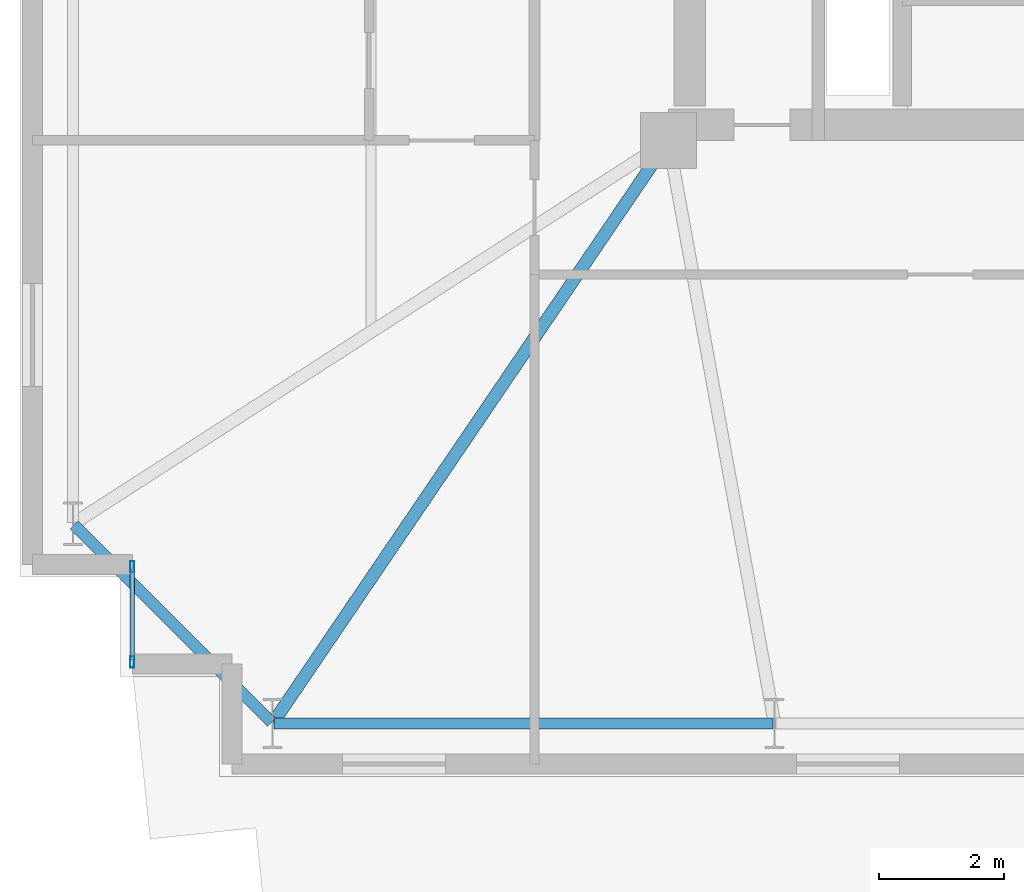
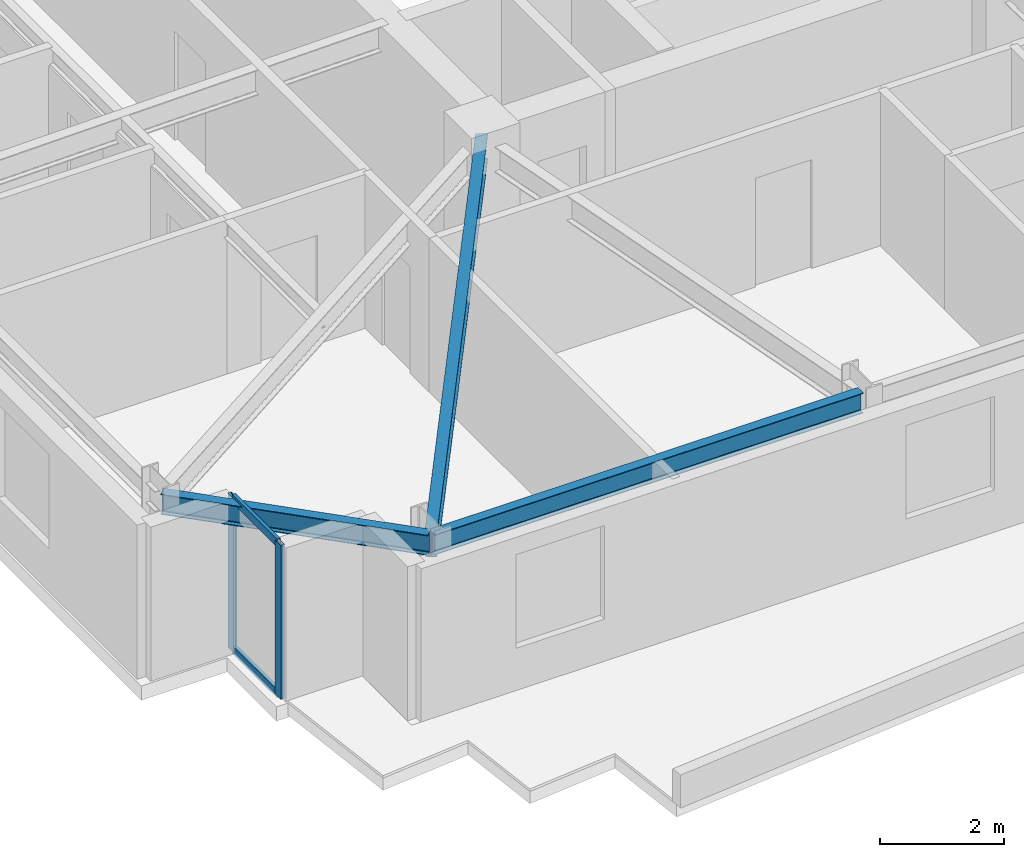
# One storey, part 3 of 19: 4 members, 3 beams, 1 element without a shape of its own.
"""IFC4 building model written with IfcOpenShell, lengths in metres."""

from ifc_helpers import new_model, si_unit, direction, frame, origin, origin_2d, place, context, subcontext, project, spatial, hollow_rectangle, i_section, extrude, material, layer, layer_set, material_profile, profile_set, type_object, element, aggregate, save


model = new_model("IFC4")

# Units and contexts
model_context = context("Model", 3, precision=1e-05, world=origin(), true_north=direction((0.0, 1.0)))
body_context = subcontext(model_context, "Body", "Model", "MODEL_VIEW")
ifc_project = project(units=[si_unit("LENGTHUNIT", "METRE"), si_unit("AREAUNIT", "SQUARE_METRE"), si_unit("VOLUMEUNIT", "CUBIC_METRE"), si_unit("PLANEANGLEUNIT", "RADIAN"), si_unit("MASSUNIT", "GRAM", prefix="KILO")], contexts=[model_context])

# Site, building, storey
site_placement = place(None, origin())
site = spatial("IfcSite", under=ifc_project, at=site_placement, CompositionType="ELEMENT")
building_placement = place(site_placement, origin())
building = spatial("IfcBuilding", under=site, at=building_placement, Name="Qobustan Lattice House", CompositionType="ELEMENT")
storey_placement = place(building_placement, frame((0.0, 0.0, 131.0)))
storey = spatial("IfcBuildingStorey", under=building, at=storey_placement, Name="L36", CompositionType="ELEMENT", Elevation=131.0)

# Beams
ifc_material_1 = material(Name="Steel S355", Category="steel")
ifc_material_profile_1 = material_profile(ifc_material_1, i_section(OverallWidth=0.199951171875, OverallDepth=0.5, WebThickness=0.01025390625, FlangeThickness=0.01611328125, FilletRadius=0.02099609375, at=origin_2d()), Name="IPE500")
ifc_profile_set_1 = profile_set([ifc_material_profile_1], Name="Steel S355")
beam_type_1 = type_object("IfcBeamType", Name="BM-FLG-IPE500", PredefinedType="USERDEFINED", material=ifc_profile_set_1)
beam_1_placement = place(storey_placement, frame((-25.135986328125, -14.92919921875, 2.7900390625), z_axis=(0.561834572616, 0.827249607442, 0.0), x_axis=(-0.827249607442, 0.561834572616, 0.0)))
element("IfcBeam", 1, at=beam_1_placement, inside=storey, type_object=beam_type_1, Name="L36 primary floor girder RAD-S1W", ObjectType="GIRDER", PredefinedType="USERDEFINED", context=body_context, shape_type="SweptSolid", body=[
    extrude(i_section(OverallWidth=0.199951171875, OverallDepth=0.5, WebThickness=0.01025390625, FlangeThickness=0.01611328125, FilletRadius=0.02099609375, at=origin_2d()), origin(), (0.0, 0.0, 1.0), 11.25244140625),
])
ifc_material_2 = material(Name="Steel S355", Category="steel")
ifc_material_profile_2 = material_profile(ifc_material_2, i_section(OverallWidth=0.179931640625, OverallDepth=0.39990234375, WebThickness=0.008544921875, FlangeThickness=0.013427734375, FilletRadius=0.02099609375, at=origin_2d()), Name="IPE400")
ifc_profile_set_2 = profile_set([ifc_material_profile_2], Name="Steel S355")
beam_type_2 = type_object("IfcBeamType", Name="BM-SPD-IPE400", PredefinedType="SPANDREL", material=ifc_profile_set_2)
beam_2_placement = place(storey_placement, frame((-25.125, -14.949951171875, 2.840087890625), z_axis=(1.0, 0.0, 0.0), x_axis=(0.0, 1.0, 0.0)))
element("IfcBeam", 2, at=beam_2_placement, inside=storey, type_object=beam_type_2, Name="L36 perimeter spandrel S1-S2", PredefinedType="SPANDREL", context=body_context, shape_type="SweptSolid", body=[
    extrude(i_section(OverallWidth=0.179931640625, OverallDepth=0.39990234375, WebThickness=0.008544921875, FlangeThickness=0.013427734375, FilletRadius=0.02099609375, at=origin_2d()), origin(), (0.0, 0.0, 1.0), 8.0),
])
beam_3_placement = place(storey_placement, frame((-28.332275390625, -11.767578125, 2.840087890625), z_axis=(0.707079505568, -0.707134055753, 0.0), x_axis=(0.707134055753, 0.707079505568, 0.0)))
element("IfcBeam", 3, at=beam_3_placement, inside=storey, type_object=beam_type_2, Name="L36 perimeter spandrel W4-S1", PredefinedType="SPANDREL", context=body_context, shape_type="SweptSolid", body=[
    extrude(i_section(OverallWidth=0.179931640625, OverallDepth=0.39990234375, WebThickness=0.008544921875, FlangeThickness=0.013427734375, FilletRadius=0.02099609375, at=origin_2d()), origin(), (0.0, 0.0, 1.0), 4.4755859375),
])

# Curtain wall, members
ifc_material_3 = material(Name="Anodised aluminium and low-E glazing", Category="aluminium")
ifc_layer = layer(ifc_material_3, 0.219970703125)
ifc_layer_set = layer_set([ifc_layer], Name="Anodised aluminium and low-E glazing")
curtain_wall_type = type_object("IfcCurtainWallType", Name="CW-FAC-02", PredefinedType="USERDEFINED", material=ifc_layer_set)
curtain_wall_placement = place(storey_placement, origin())
curtain_wall = element("IfcCurtainWall", 4, at=curtain_wall_placement, inside=storey, type_object=curtain_wall_type, Name="L36 serrated corner faceted glazing 3", ObjectType="CURTAIN WALL", PredefinedType="USERDEFINED")
ifc_material_4 = material(Name="Anodised aluminium EN AW-6063 T6", Category="aluminium")
ifc_material_profile_3 = material_profile(ifc_material_4, hollow_rectangle(XDim=0.070068359375, YDim=0.179931640625, WallThickness=0.00439453125, at=origin_2d()), Name="CWM-180x70")
ifc_profile_set_3 = profile_set([ifc_material_profile_3], Name="Anodised aluminium EN AW-6063 T6")
member_type_1 = type_object("IfcMemberType", Name="CWM-STD-180", PredefinedType="MULLION", material=ifc_profile_set_3)
member_1_placement = place(storey_placement, frame((-27.39990234375, -13.965087890625, 0.0), z_axis=(0.0, 0.0, 1.0), x_axis=(-1.0, 0.0, 0.0)))
member_1 = element("IfcMember", 5, at=member_1_placement, type_object=member_type_1, Name="CW-F2 mullion 1", PredefinedType="MULLION", context=body_context, shape_type="SweptSolid", body=[
    extrude(hollow_rectangle(XDim=0.070068359375, YDim=0.179931640625, WallThickness=0.00439453125, at=origin_2d()), origin(), (0.0, 0.0, 1.0), 3.0400390625),
])
member_2_placement = place(storey_placement, frame((-27.39990234375, -12.43505859375, 0.0), z_axis=(0.0, 0.0, 1.0), x_axis=(-1.0, 0.0, 0.0)))
member_2 = element("IfcMember", 6, at=member_2_placement, type_object=member_type_1, Name="CW-F2 mullion 2", PredefinedType="MULLION", context=body_context, shape_type="SweptSolid", body=[
    extrude(hollow_rectangle(XDim=0.070068359375, YDim=0.179931640625, WallThickness=0.00439453125, at=origin_2d()), origin(), (0.0, 0.0, 1.0), 3.0400390625),
])
ifc_material_5 = material(Name="Anodised aluminium EN AW-6063 T6", Category="aluminium")
ifc_material_profile_4 = material_profile(ifc_material_5, hollow_rectangle(XDim=0.06494140625, YDim=0.159912109375, WallThickness=0.00390625, at=origin_2d()), Name="CWT-160x65")
ifc_profile_set_4 = profile_set([ifc_material_profile_4], Name="Anodised aluminium EN AW-6063 T6")
member_type_2 = type_object("IfcMemberType", Name="CWT-HOR-160", PredefinedType="USERDEFINED", material=ifc_profile_set_4)
member_3_placement = place(storey_placement, frame((-27.39990234375, -13.929931640625, 0.032470703125), z_axis=(0.0, 1.0, 0.0), x_axis=(-1.0, 0.0, 0.0)))
member_3 = element("IfcMember", 7, at=member_3_placement, type_object=member_type_2, Name="CW-F2 transom 1.1", ObjectType="TRANSOM", PredefinedType="USERDEFINED", context=body_context, shape_type="SweptSolid", body=[
    extrude(hollow_rectangle(XDim=0.06494140625, YDim=0.159912109375, WallThickness=0.00390625, at=origin_2d()), origin(), (0.0, 0.0, 1.0), 1.4599609375),
])
member_4_placement = place(storey_placement, frame((-27.39990234375, -13.929931640625, 3.007568359375), z_axis=(0.0, 1.0, 0.0), x_axis=(-1.0, 0.0, 0.0)))
member_4 = element("IfcMember", 8, at=member_4_placement, type_object=member_type_2, Name="CW-F2 transom 1.2", ObjectType="TRANSOM", PredefinedType="USERDEFINED", context=body_context, shape_type="SweptSolid", body=[
    extrude(hollow_rectangle(XDim=0.06494140625, YDim=0.159912109375, WallThickness=0.00390625, at=origin_2d()), origin(), (0.0, 0.0, 1.0), 1.4599609375),
])
aggregate(curtain_wall, [member_1, member_2, member_3, member_4])

save(model, "model.ifc")
